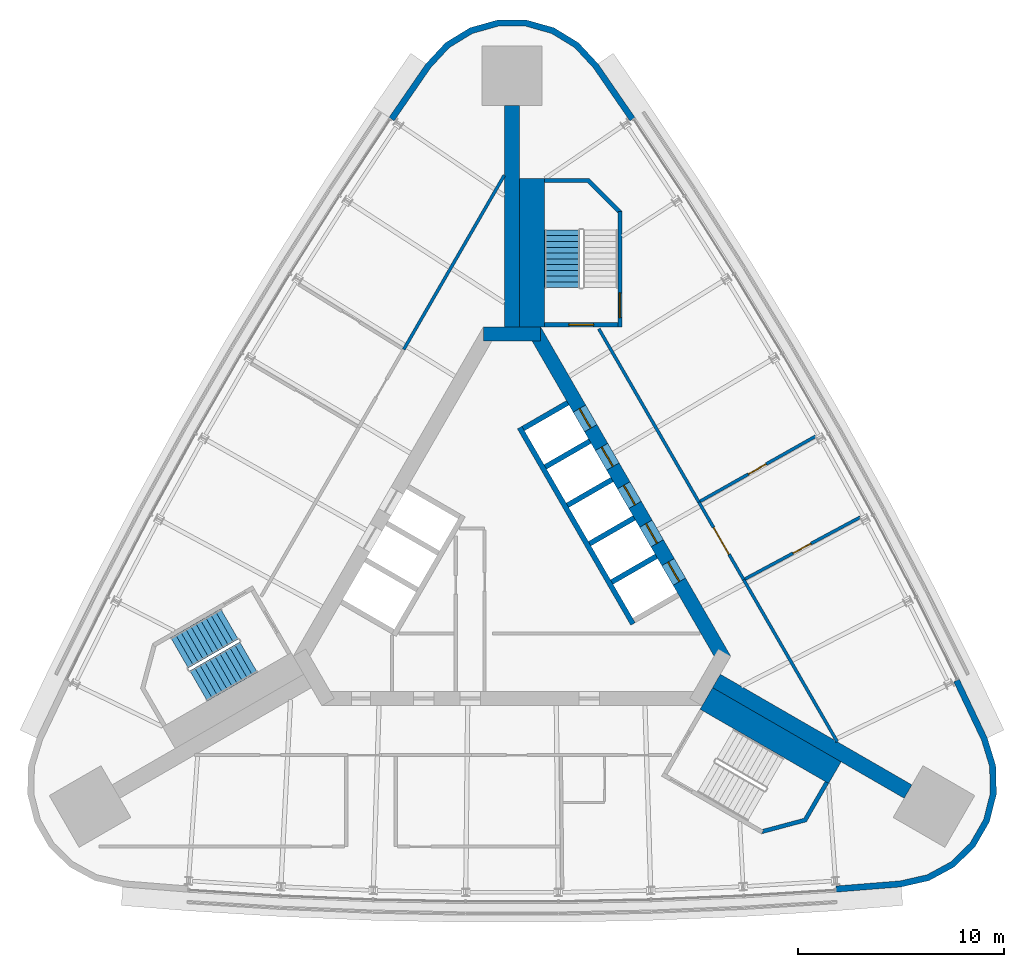
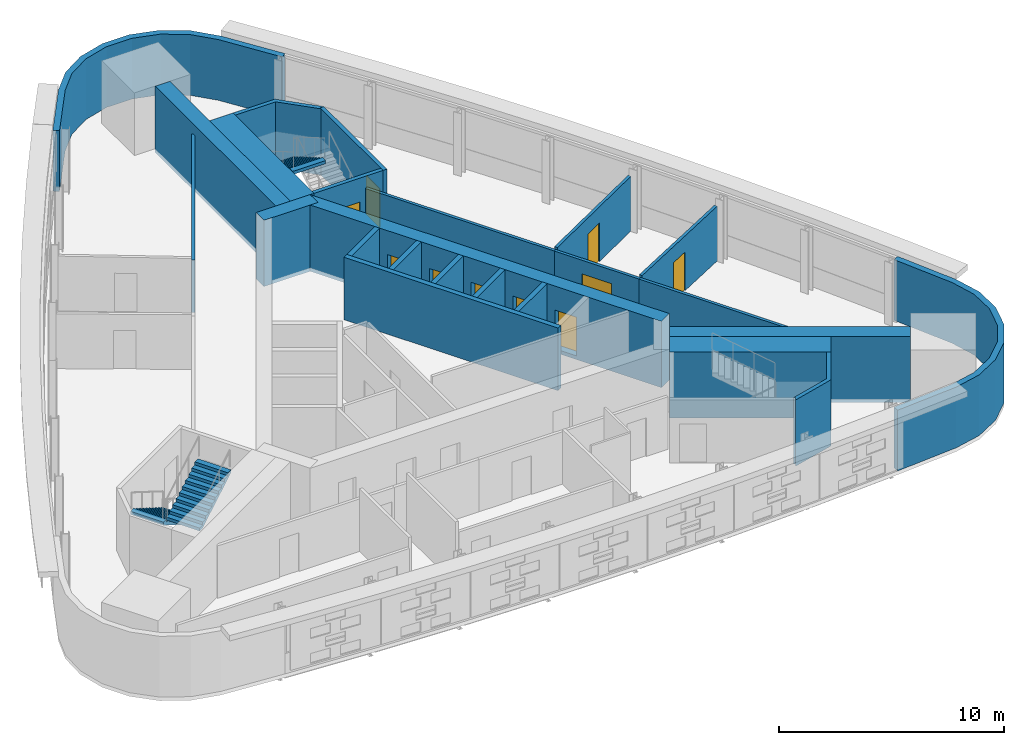
# One storey, part 9 of 12: 24 walls, 10 doors, 3 stair flights, 10 openings, 2 elements without a shape of their own.
"""IFC4 building model written with IfcOpenShell, lengths in metres."""

from ifc_helpers import new_model, si_unit, direction, frame, frame_2d, origin, place, context, subcontext, project, spatial, polyline, rectangle, outline, extrude, material, layer, layer_set, type_object, element, fill, aggregate, save


model = new_model("IFC4")

# Units and contexts
model_context = context("Model", 3, precision=1e-05, world=origin(), true_north=direction((0.0, 1.0)))
body_context = subcontext(model_context, "Body", "Model", "MODEL_VIEW")
ifc_project = project(units=[si_unit("LENGTHUNIT", "METRE"), si_unit("AREAUNIT", "SQUARE_METRE"), si_unit("VOLUMEUNIT", "CUBIC_METRE"), si_unit("PLANEANGLEUNIT", "RADIAN"), si_unit("MASSUNIT", "GRAM", prefix="KILO")], contexts=[model_context])

# Site, building, storey
site_placement = place(None, origin())
site = spatial("IfcSite", under=ifc_project, at=site_placement, CompositionType="ELEMENT")
building_placement = place(site_placement, origin())
building = spatial("IfcBuilding", under=site, at=building_placement, Name="Noor Cloister Tower", CompositionType="ELEMENT")
storey_placement = place(building_placement, frame((0.0, 0.0, 154.5)))
storey = spatial("IfcBuildingStorey", under=building, at=storey_placement, Name="L39", CompositionType="ELEMENT", Elevation=154.5)

# Walls
ifc_material_1 = material(Name="Concrete C70/85", Category="concrete")
ifc_layer_1 = layer(ifc_material_1, 0.75)
ifc_layer_set_1 = layer_set([ifc_layer_1], Name="Buttress wall 750 C70/85")
wall_type_1 = type_object("IfcWallType", Name="Buttress wall 750 C70/85", PredefinedType="SHEAR", material=ifc_layer_set_1)
wall_1_placement = place(storey_placement, frame((0.0, 11.456298828125, -0.199951171875), z_axis=(0.0, 0.0, 1.0), x_axis=(0.0, 1.0, 0.0)))
element("IfcWall", 1, at=wall_1_placement, inside=storey, type_object=wall_type_1, Name="Buttress wall N L39", PredefinedType="SHEAR", context=body_context, shape_type="SweptSolid", body=[
    extrude(rectangle(XDim=10.735595703125, YDim=0.75, at=frame_2d((5.36767578125, 0.0))), origin(), (0.0, 0.0, 1.0), 3.599853515625),
])
wall_2_placement = place(storey_placement, frame((9.921630859375, -5.728271484375, -0.199951171875), z_axis=(0.0, 0.0, 1.0), x_axis=(0.86602614826, -0.499998710529, 0.0)))
element("IfcWall", 2, at=wall_2_placement, inside=storey, type_object=wall_type_1, Name="Buttress wall SE L39", PredefinedType="SHEAR", context=body_context, shape_type="SweptSolid", body=[
    extrude(rectangle(XDim=10.7353515625, YDim=0.75, at=frame_2d((5.36767578125, 0.0))), origin(), (0.0, 0.0, 1.0), 3.599853515625),
])

# Wall, openings, doors
ifc_material_2 = material(Name="Concrete C70/85", Category="concrete")
ifc_layer_2 = layer(ifc_material_2, 0.699951171875)
ifc_layer_set_2 = layer_set([ifc_layer_2], Name="Core wall 700 C70/85")
wall_type_2 = type_object("IfcWallType", Name="Core wall 700 C70/85", PredefinedType="SHEAR", material=ifc_layer_set_2)
wall_3_placement = place(storey_placement, frame((10.311279296875, -4.703125, -0.199951171875), z_axis=(0.0, 0.0, 1.0), x_axis=(-0.500001446645, 0.866024568562, 0.0)))
wall_3 = element("IfcWall", 3, at=wall_3_placement, inside=storey, type_object=wall_type_2, Name="Core wall L39 3", PredefinedType="SHEAR", context=body_context, shape_type="SweptSolid", body=[
    extrude(rectangle(XDim=18.45751953125, YDim=0.699951171875, at=frame_2d((9.228759765625, 0.0))), origin(), (0.0, 0.0, 1.0), 3.599853515625),
])
opening_1_placement = place(wall_3_placement, frame((4.378662109375, 0.0, 0.199951171875)))
opening_1 = element("IfcOpeningElement", 4, at=opening_1_placement, cuts=wall_3, Name="Opening L39-HR1", PredefinedType="OPENING", context=body_context, shape_type="SweptSolid", body=[
    extrude(rectangle(XDim=1.10009765625, YDim=2.10009765625, at=frame_2d((0.550048828125, 1.050048828125))), frame((0.0, 0.35986328125, 0.0), z_axis=(0.0, -1.0, 0.0), x_axis=(1.0, 0.0, 0.0)), (0.0, 0.0, 1.0), 0.719970703125),
])
opening_2_placement = place(wall_3_placement, frame((6.52880859375, 0.0, 0.199951171875)))
opening_2 = element("IfcOpeningElement", 5, at=opening_2_placement, cuts=wall_3, Name="Opening L39-HR2", PredefinedType="OPENING", context=body_context, shape_type="SweptSolid", body=[
    extrude(rectangle(XDim=1.10009765625, YDim=2.10009765625, at=frame_2d((0.550048828125, 1.050048828125))), frame((0.0, 0.35986328125, 0.0), z_axis=(0.0, -1.0, 0.0), x_axis=(1.0, 0.0, 0.0)), (0.0, 0.0, 1.0), 0.719970703125),
])
opening_3_placement = place(wall_3_placement, frame((8.6787109375, 0.0, 0.199951171875)))
opening_3 = element("IfcOpeningElement", 6, at=opening_3_placement, cuts=wall_3, Name="Opening L39-HR3", PredefinedType="OPENING", context=body_context, shape_type="SweptSolid", body=[
    extrude(rectangle(XDim=1.10009765625, YDim=2.10009765625, at=frame_2d((0.550048828125, 1.050048828125))), frame((0.0, 0.35986328125, 0.0), z_axis=(0.0, -1.0, 0.0), x_axis=(1.0, 0.0, 0.0)), (0.0, 0.0, 1.0), 0.719970703125),
])
opening_4_placement = place(wall_3_placement, frame((10.82861328125, 0.0, 0.199951171875)))
opening_4 = element("IfcOpeningElement", 7, at=opening_4_placement, cuts=wall_3, Name="Opening L39-HR4", PredefinedType="OPENING", context=body_context, shape_type="SweptSolid", body=[
    extrude(rectangle(XDim=1.10009765625, YDim=2.10009765625, at=frame_2d((0.550048828125, 1.050048828125))), frame((0.0, 0.35986328125, 0.0), z_axis=(0.0, -1.0, 0.0), x_axis=(1.0, 0.0, 0.0)), (0.0, 0.0, 1.0), 0.719970703125),
])
opening_5_placement = place(wall_3_placement, frame((12.978759765625, 0.0, 0.199951171875)))
opening_5 = element("IfcOpeningElement", 8, at=opening_5_placement, cuts=wall_3, Name="Opening L39-HR5", PredefinedType="OPENING", context=body_context, shape_type="SweptSolid", body=[
    extrude(rectangle(XDim=1.10009765625, YDim=2.10009765625, at=frame_2d((0.550048828125, 1.050048828125))), frame((0.0, 0.35986328125, 0.0), z_axis=(0.0, -1.0, 0.0), x_axis=(1.0, 0.0, 0.0)), (0.0, 0.0, 1.0), 0.719970703125),
])
ifc_material_3 = material(Name="Stainless steel", Category="steel")
door_type_1 = type_object("IfcDoorType", Name="Lift landing door 1100 x 2100", OperationType="DOUBLE_DOOR_SLIDING", PredefinedType="DOOR", material=ifc_material_3)
door_1_placement = place(opening_1_placement, origin())
door_1 = element("IfcDoor", 9, at=door_1_placement, inside=storey, type_object=door_type_1, Name="Landing door HR1 L39", OperationType="DOUBLE_DOOR_SLIDING", OverallHeight=2.10009765625, OverallWidth=1.10009765625, PredefinedType="DOOR", context=body_context, shape_type="SweptSolid", body=[
    extrude(rectangle(XDim=1.10009765625, YDim=2.10009765625, at=frame_2d((0.550048828125, 1.050048828125))), frame((0.0, 0.02490234375, 0.0), z_axis=(0.0, -1.0, 0.0), x_axis=(1.0, 0.0, 0.0)), (0.0, 0.0, 1.0), 0.050048828125),
])
fill(opening_1, door_1)
door_2_placement = place(opening_2_placement, origin())
door_2 = element("IfcDoor", 10, at=door_2_placement, inside=storey, type_object=door_type_1, Name="Landing door HR2 L39", OperationType="DOUBLE_DOOR_SLIDING", OverallHeight=2.10009765625, OverallWidth=1.10009765625, PredefinedType="DOOR", context=body_context, shape_type="SweptSolid", body=[
    extrude(rectangle(XDim=1.10009765625, YDim=2.10009765625, at=frame_2d((0.550048828125, 1.050048828125))), frame((0.0, 0.02490234375, 0.0), z_axis=(0.0, -1.0, 0.0), x_axis=(1.0, 0.0, 0.0)), (0.0, 0.0, 1.0), 0.050048828125),
])
fill(opening_2, door_2)
door_3_placement = place(opening_3_placement, origin())
door_3 = element("IfcDoor", 11, at=door_3_placement, inside=storey, type_object=door_type_1, Name="Landing door HR3 L39", OperationType="DOUBLE_DOOR_SLIDING", OverallHeight=2.10009765625, OverallWidth=1.10009765625, PredefinedType="DOOR", context=body_context, shape_type="SweptSolid", body=[
    extrude(rectangle(XDim=1.10009765625, YDim=2.10009765625, at=frame_2d((0.550048828125, 1.050048828125))), frame((0.0, 0.02490234375, 0.0), z_axis=(0.0, -1.0, 0.0), x_axis=(1.0, 0.0, 0.0)), (0.0, 0.0, 1.0), 0.050048828125),
])
fill(opening_3, door_3)
door_4_placement = place(opening_4_placement, origin())
door_4 = element("IfcDoor", 12, at=door_4_placement, inside=storey, type_object=door_type_1, Name="Landing door HR4 L39", OperationType="DOUBLE_DOOR_SLIDING", OverallHeight=2.10009765625, OverallWidth=1.10009765625, PredefinedType="DOOR", context=body_context, shape_type="SweptSolid", body=[
    extrude(rectangle(XDim=1.10009765625, YDim=2.10009765625, at=frame_2d((0.550048828125, 1.050048828125))), frame((0.0, 0.02490234375, 0.0), z_axis=(0.0, -1.0, 0.0), x_axis=(1.0, 0.0, 0.0)), (0.0, 0.0, 1.0), 0.050048828125),
])
fill(opening_4, door_4)
door_5_placement = place(opening_5_placement, origin())
door_5 = element("IfcDoor", 13, at=door_5_placement, inside=storey, type_object=door_type_1, Name="Landing door HR5 L39", OperationType="DOUBLE_DOOR_SLIDING", OverallHeight=2.10009765625, OverallWidth=1.10009765625, PredefinedType="DOOR", context=body_context, shape_type="SweptSolid", body=[
    extrude(rectangle(XDim=1.10009765625, YDim=2.10009765625, at=frame_2d((0.550048828125, 1.050048828125))), frame((0.0, 0.02490234375, 0.0), z_axis=(0.0, -1.0, 0.0), x_axis=(1.0, 0.0, 0.0)), (0.0, 0.0, 1.0), 0.050048828125),
])
fill(opening_5, door_5)

# Walls
wall_4_placement = place(storey_placement, frame((1.3857421875, 11.1064453125, -0.199951171875), z_axis=(0.0, 0.0, 1.0), x_axis=(-1.0, 0.0, 0.0)))
element("IfcWall", 14, at=wall_4_placement, inside=storey, type_object=wall_type_2, Name="Core wall L39 4", PredefinedType="SHEAR", context=body_context, shape_type="SweptSolid", body=[
    extrude(rectangle(XDim=2.771484375, YDim=0.699951171875, at=frame_2d((1.3857421875, 0.0))), origin(), (0.0, 0.0, 1.0), 3.599853515625),
])
ifc_material_4 = material(Name="Fire-rated gypsum board partition on steel studs, 150 mm", Category="steel")
ifc_layer_3 = layer(ifc_material_4, 0.14990234375)
ifc_layer_set_3 = layer_set([ifc_layer_3], Name="Fire lobby wall 150")
wall_type_3 = type_object("IfcWallType", Name="Fire lobby wall 150", PredefinedType="PARTITIONING", material=ifc_layer_set_3)
wall_5_placement = place(storey_placement, frame((-0.375, 18.806884765625, 0.0), z_axis=(0.0, 0.0, 1.0), x_axis=(-0.500002508028, -0.866023955769, 0.0)))
element("IfcWall", 15, at=wall_5_placement, inside=storey, type_object=wall_type_3, Name="Wall L39-W16", PredefinedType="PARTITIONING", context=body_context, shape_type="SweptSolid", body=[
    extrude(rectangle(XDim=9.759765625, YDim=0.14990234375, at=frame_2d((4.8798828125, 0.0))), origin(), (0.0, 0.0, 1.0), 2.846923828125),
])
ifc_material_5 = material(Name="Gypsum board partition on steel studs, 150 mm", Category="steel")
ifc_layer_4 = layer(ifc_material_5, 0.14990234375)
ifc_layer_set_4 = layer_set([ifc_layer_4], Name="Flat wall 150")
wall_type_4 = type_object("IfcWallType", Name="Flat wall 150", PredefinedType="PARTITIONING", material=ifc_layer_set_4)
wall_6_placement = place(storey_placement, frame((15.781982421875, -8.6787109375, 0.0), z_axis=(0.0, 0.0, 1.0), x_axis=(-0.500005644317, 0.866022145012, 0.0)))
element("IfcWall", 16, at=wall_6_placement, inside=storey, type_object=wall_type_4, Name="Wall L39-W01", PredefinedType="PARTITIONING", context=body_context, shape_type="SweptSolid", body=[
    extrude(rectangle(XDim=9.07958984375, YDim=0.14990234375, at=frame_2d((4.539794921875, 0.0))), origin(), (0.0, 0.0, 1.0), 2.846923828125),
])
wall_7_placement = place(storey_placement, frame((9.066162109375, 2.953369140625, 0.0), z_axis=(0.0, 0.0, 1.0), x_axis=(-0.500003417229, 0.866023430837, 0.0)))
element("IfcWall", 17, at=wall_7_placement, inside=storey, type_object=wall_type_4, Name="Wall L39-W02", PredefinedType="PARTITIONING", context=body_context, shape_type="SweptSolid", body=[
    extrude(rectangle(XDim=9.703125, YDim=0.14990234375, at=frame_2d((4.8515625, 0.0))), origin(), (0.0, 0.0, 1.0), 2.846923828125),
])

# Wall, opening, door
wall_8_placement = place(storey_placement, frame((16.900634765625, 2.220703125, 0.0), z_axis=(0.0, 0.0, 1.0), x_axis=(-0.881144631688, -0.472846844177, 0.0)))
wall_8 = element("IfcWall", 18, at=wall_8_placement, inside=storey, type_object=wall_type_4, Name="Wall L39-W03", PredefinedType="PARTITIONING", context=body_context, shape_type="SweptSolid", body=[
    extrude(rectangle(XDim=6.3466796875, YDim=0.14990234375, at=frame_2d((3.17333984375, 0.0))), origin(), (0.0, 0.0, 1.0), 2.97412109375),
])
opening_6_placement = place(wall_8_placement, frame((2.710693359375, 0.0, 0.0)))
opening_6 = element("IfcOpeningElement", 19, at=opening_6_placement, cuts=wall_8, Name="Opening L39-002", PredefinedType="OPENING", context=body_context, shape_type="SweptSolid", body=[
    extrude(rectangle(XDim=1.0, YDim=2.10009765625, at=frame_2d((0.5, 1.050048828125))), frame((0.0, 0.0849609375, 0.0), z_axis=(0.0, -1.0, 0.0), x_axis=(1.0, 0.0, 0.0)), (0.0, 0.0, 1.0), 0.169921875),
])
ifc_material_6 = material(Name="Timber door leaf with steel frame", Category="steel")
door_type_2 = type_object("IfcDoorType", Name="Interior door 1000 FD60", OperationType="NOTDEFINED", PredefinedType="DOOR", material=ifc_material_6)
door_6_placement = place(opening_6_placement, origin())
door_6 = element("IfcDoor", 20, at=door_6_placement, inside=storey, type_object=door_type_2, Name="Door L39-002", OperationType="SINGLE_SWING_RIGHT", OverallHeight=2.10009765625, OverallWidth=1.0, PredefinedType="DOOR", context=body_context, shape_type="SweptSolid", body=[
    extrude(rectangle(XDim=1.0, YDim=2.10009765625, at=frame_2d((0.5, 1.050048828125))), frame((0.0, 0.02490234375, 0.0), z_axis=(0.0, -1.0, 0.0), x_axis=(1.0, 0.0, 0.0)), (0.0, 0.0, 1.0), 0.050048828125),
])
fill(opening_6, door_6)

wall_9_placement = place(storey_placement, frame((14.7353515625, 6.148681640625, 0.0), z_axis=(0.0, 0.0, 1.0), x_axis=(-0.871163720424, -0.490992639676, 0.0)))
wall_9 = element("IfcWall", 21, at=wall_9_placement, inside=storey, type_object=wall_type_4, Name="Wall L39-W04", PredefinedType="PARTITIONING", context=body_context, shape_type="SweptSolid", body=[
    extrude(rectangle(XDim=6.432861328125, YDim=0.14990234375, at=frame_2d((3.21630859375, 0.0))), origin(), (0.0, 0.0, 1.0), 2.97412109375),
])
opening_7_placement = place(wall_9_placement, frame((2.75390625, 0.0, 0.0)))
opening_7 = element("IfcOpeningElement", 22, at=opening_7_placement, cuts=wall_9, Name="Opening L39-003", PredefinedType="OPENING", context=body_context, shape_type="SweptSolid", body=[
    extrude(rectangle(XDim=1.0, YDim=2.10009765625, at=frame_2d((0.5, 1.050048828125))), frame((0.0, 0.0849609375, 0.0), z_axis=(0.0, -1.0, 0.0), x_axis=(1.0, 0.0, 0.0)), (0.0, 0.0, 1.0), 0.169921875),
])
door_7_placement = place(opening_7_placement, origin())
door_7 = element("IfcDoor", 23, at=door_7_placement, inside=storey, type_object=door_type_2, Name="Door L39-003", OperationType="SINGLE_SWING_LEFT", OverallHeight=2.10009765625, OverallWidth=1.0, PredefinedType="DOOR", context=body_context, shape_type="SweptSolid", body=[
    extrude(rectangle(XDim=1.0, YDim=2.10009765625, at=frame_2d((0.5, 1.050048828125))), frame((0.0, 0.02490234375, 0.0), z_axis=(0.0, -1.0, 0.0), x_axis=(1.0, 0.0, 0.0)), (0.0, 0.0, 1.0), 0.050048828125),
])
fill(opening_7, door_7)

wall_10_placement = place(storey_placement, frame((11.2421875, -0.815673828125, 0.0), z_axis=(0.0, 0.0, 1.0), x_axis=(-0.499994385119, 0.866028645513, 0.0)))
wall_10 = element("IfcWall", 24, at=wall_10_placement, inside=storey, type_object=wall_type_4, Name="Wall L39-W05", PredefinedType="PARTITIONING", context=body_context, shape_type="SweptSolid", body=[
    extrude(rectangle(XDim=4.35205078125, YDim=0.14990234375, at=frame_2d((2.176025390625, 0.0))), origin(), (0.0, 0.0, 1.0), 2.846923828125),
])
opening_8_placement = place(wall_10_placement, frame((1.42626953125, 0.0, 0.0)))
opening_8 = element("IfcOpeningElement", 25, at=opening_8_placement, cuts=wall_10, Name="Opening L39-001", PredefinedType="OPENING", context=body_context, shape_type="SweptSolid", body=[
    extrude(rectangle(XDim=1.5, YDim=2.10009765625, at=frame_2d((0.75, 1.050048828125))), frame((0.0, 0.0849609375, 0.0), z_axis=(0.0, -1.0, 0.0), x_axis=(1.0, 0.0, 0.0)), (0.0, 0.0, 1.0), 0.169921875),
])
ifc_material_7 = material(Name="Timber door leaf with steel frame", Category="steel")
door_type_3 = type_object("IfcDoorType", Name="Double door 1500 FD60", OperationType="NOTDEFINED", PredefinedType="DOOR", material=ifc_material_7)
door_8_placement = place(opening_8_placement, origin())
door_8 = element("IfcDoor", 26, at=door_8_placement, inside=storey, type_object=door_type_3, Name="Door L39-001", OperationType="DOUBLE_DOOR_SINGLE_SWING", OverallHeight=2.10009765625, OverallWidth=1.5, PredefinedType="DOOR", context=body_context, shape_type="SweptSolid", body=[
    extrude(rectangle(XDim=1.5, YDim=2.10009765625, at=frame_2d((0.75, 1.050048828125))), frame((0.0, 0.02490234375, 0.0), z_axis=(0.0, -1.0, 0.0), x_axis=(1.0, 0.0, 0.0)), (0.0, 0.0, 1.0), 0.050048828125),
])
fill(opening_8, door_8)

# Walls
ifc_material_8 = material(Name="Limestone", Category="masonry")
ifc_layer_5 = layer(ifc_material_8, 0.300048828125)
ifc_layer_set_5 = layer_set([ifc_layer_5], Name="Limestone cladding 300")
wall_type_5 = type_object("IfcWallType", Name="Limestone cladding 300", PredefinedType="NOTDEFINED", material=ifc_layer_set_5)
wall_11_placement = place(storey_placement, origin())
element("IfcWall", 27, at=wall_11_placement, inside=storey, type_object=wall_type_5, Name="Limestone pier cladding L39 2.1", PredefinedType="NOTDEFINED", context=body_context, shape_type="SweptSolid", body=[
    extrude(outline(polyline([(15.736083984375, -15.97607421875), (18.88671875, -15.72412109375), (20.2451171875, -15.414306640625), (21.46875, -14.748046875), (22.466064453125, -13.775146484375), (23.162841796875, -12.568603515625), (23.506591796875, -11.218505859375), (23.4716796875, -9.82568359375), (23.060791015625, -8.494384765625), (21.703857421875, -5.639892578125), (21.432861328125, -5.768798828125), (22.780517578125, -8.603515625), (23.1728515625, -9.87451171875), (23.20556640625, -11.1845703125), (22.88232421875, -12.45458984375), (22.22705078125, -13.58935546875), (21.288818359375, -14.50439453125), (20.137939453125, -15.130859375), (18.84130859375, -15.4267578125), (15.712158203125, -15.677001953125), (15.736083984375, -15.97607421875)])), origin(), (0.0, 0.0, 1.0), 3.300048828125),
])
wall_12_placement = place(storey_placement, origin())
element("IfcWall", 28, at=wall_12_placement, inside=storey, type_object=wall_type_5, Name="Limestone pier cladding L39 3.1", PredefinedType="NOTDEFINED", context=body_context, shape_type="SweptSolid", body=[
    extrude(outline(polyline([(5.967529296875, 21.615966796875), (4.174072265625, 24.218505859375), (3.2265625, 25.239990234375), (2.037841796875, 25.966552734375), (0.696533203125, 26.34375), (-0.696533203125, 26.34375), (-2.037841796875, 25.966552734375), (-3.2265625, 25.239990234375), (-4.174072265625, 24.218505859375), (-5.967529296875, 21.615966796875), (-5.720703125, 21.44580078125), (-3.939453125, 24.0302734375), (-3.03466796875, 25.00537109375), (-1.916748046875, 25.68896484375), (-0.6552734375, 26.0439453125), (0.6552734375, 26.0439453125), (1.916748046875, 25.68896484375), (3.03466796875, 25.00537109375), (3.939453125, 24.0302734375), (5.720703125, 21.44580078125), (5.967529296875, 21.615966796875)])), origin(), (0.0, 0.0, 1.0), 3.300048828125),
])
ifc_material_9 = material(Name="Concrete C70/85", Category="concrete")
ifc_layer_6 = layer(ifc_material_9, 0.25)
ifc_layer_set_6 = layer_set([ifc_layer_6], Name="Shaft wall 250 C70/85")
wall_type_6 = type_object("IfcWallType", Name="Shaft wall 250 C70/85", PredefinedType="PARTITIONING", material=ifc_layer_set_6)
wall_13_placement = place(storey_placement, frame((7.00634765625, 0.3212890625, -0.199951171875), z_axis=(0.0, 0.0, 1.0), x_axis=(-0.866022959057, -0.500004234368, 0.0)))
element("IfcWall", 29, at=wall_13_placement, inside=storey, type_object=wall_type_6, Name="Lift shaft wall L39 NE 2", PredefinedType="PARTITIONING", context=body_context, shape_type="SweptSolid", body=[
    extrude(rectangle(XDim=2.5, YDim=0.25, at=frame_2d((1.25, 0.0))), origin(), (0.0, 0.0, 1.0), 3.599853515625),
])
wall_14_placement = place(storey_placement, frame((5.931396484375, 2.18310546875, -0.199951171875), z_axis=(0.0, 0.0, 1.0), x_axis=(-0.866047370643, -0.499961950354, 0.0)))
element("IfcWall", 30, at=wall_14_placement, inside=storey, type_object=wall_type_6, Name="Lift shaft wall L39 NE 3", PredefinedType="PARTITIONING", context=body_context, shape_type="SweptSolid", body=[
    extrude(rectangle(XDim=2.500244140625, YDim=0.25, at=frame_2d((1.25, 0.0))), origin(), (0.0, 0.0, 1.0), 3.599853515625),
])
for number, where, z_axis, x_axis, name in (
    (31, (4.856201171875, 4.045166015625, -0.199951171875), (0.0, 0.0, 1.0), (-0.866022959057, -0.500004234368, 0.0), "Lift shaft wall L39 NE 4"),
    (32, (3.78125, 5.906982421875, -0.199951171875), (0.0, 0.0, 1.0), (-0.866022959057, -0.500004234368, 0.0), "Lift shaft wall L39 NE 5"),
    (33, (2.706298828125, 7.76904296875, -0.199951171875), (0.0, 0.0, 1.0), (-0.866022959057, -0.500004234368, 0.0), "Lift shaft wall L39 NE 6"),
):
    element("IfcWall", number, at=place(storey_placement, frame(where, z_axis=z_axis, x_axis=x_axis)), inside=storey, type_object=wall_type_6, Name=name, PredefinedType="PARTITIONING", context=body_context, shape_type="SweptSolid", body=[
        extrude(rectangle(XDim=2.5, YDim=0.25, at=frame_2d((1.25, 0.0))), origin(), (0.0, 0.0, 1.0), 3.599853515625),
    ])
wall_15_placement = place(storey_placement, frame((5.870361328125, -2.96142578125, 0.0), z_axis=(0.0, 0.0, 1.0), x_axis=(-0.50000615651, 0.866021849293, 0.0)))
element("IfcWall", 34, at=wall_15_placement, inside=storey, type_object=wall_type_6, Name="Lift shaft back wall L39 NE", PredefinedType="PARTITIONING", context=body_context, shape_type="SweptSolid", body=[
    extrude(rectangle(XDim=10.999755859375, YDim=0.25, at=frame_2d((5.5, 0.0))), origin(), (0.0, 0.0, 1.0), 3.39990234375),
])
ifc_material_10 = material(Name="Concrete C70/85", Category="concrete")
ifc_layer_7 = layer(ifc_material_10, 1.2109375)
ifc_layer_set_7 = layer_set([ifc_layer_7], Name="Stair enclosure wall 1211 C70/85")
wall_type_7 = type_object("IfcWallType", Name="Stair enclosure wall 1211 C70/85", PredefinedType="SHEAR", material=ifc_layer_set_7)
wall_16_placement = place(storey_placement, frame((0.980224609375, 11.456298828125, -0.199951171875), z_axis=(0.0, 0.0, 1.0), x_axis=(0.0, 1.0, 0.0)))
element("IfcWall", 35, at=wall_16_placement, inside=storey, type_object=wall_type_7, Name="Stair enclosure wall ST1 L39 riser side", PredefinedType="SHEAR", context=body_context, shape_type="SweptSolid", body=[
    extrude(rectangle(XDim=7.2001953125, YDim=1.210693359375, at=frame_2d((3.60009765625, 0.0))), origin(), (0.0, 0.0, 1.0), 3.599853515625),
])
wall_17_placement = place(storey_placement, frame((9.431396484375, -6.5771484375, -0.199951171875), z_axis=(0.0, 0.0, 1.0), x_axis=(0.866018442252, -0.500012057535, 0.0)))
element("IfcWall", 36, at=wall_17_placement, inside=storey, type_object=wall_type_7, Name="Stair enclosure wall ST3 L39 riser side", PredefinedType="SHEAR", context=body_context, shape_type="SweptSolid", body=[
    extrude(rectangle(XDim=7.199951171875, YDim=1.210693359375, at=frame_2d((3.60009765625, 0.0))), origin(), (0.0, 0.0, 1.0), 3.599853515625),
])

# Wall, opening, door
ifc_material_11 = material(Name="Concrete C70/85", Category="concrete")
ifc_layer_8 = layer(ifc_material_11, 0.199951171875)
ifc_layer_set_8 = layer_set([ifc_layer_8], Name="Stair enclosure wall 200 C70/85")
wall_type_8 = type_object("IfcWallType", Name="Stair enclosure wall 200 C70/85", PredefinedType="SHEAR", material=ifc_layer_set_8)
wall_18_placement = place(storey_placement, frame((5.135498046875, 11.556396484375, -0.199951171875), z_axis=(0.0, 0.0, 1.0), x_axis=(-1.0, 0.0, 0.0)))
wall_18 = element("IfcWall", 37, at=wall_18_placement, inside=storey, type_object=wall_type_8, Name="Stair enclosure wall ST1 L39 near end", PredefinedType="SHEAR", context=body_context, shape_type="SweptSolid", body=[
    extrude(rectangle(XDim=3.5498046875, YDim=0.199951171875, at=frame_2d((1.77490234375, 0.0))), origin(), (0.0, 0.0, 1.0), 3.599853515625),
])
opening_9_placement = place(wall_18_placement, frame((1.175048828125, 0.0, 0.199951171875)))
opening_9 = element("IfcOpeningElement", 38, at=opening_9_placement, cuts=wall_18, Name="Opening L39-ST1L", PredefinedType="OPENING", context=body_context, shape_type="SweptSolid", body=[
    extrude(rectangle(XDim=1.199951171875, YDim=2.10009765625, at=frame_2d((0.60009765625, 1.050048828125))), frame((0.0, 0.10986328125, 0.0), z_axis=(0.0, -1.0, 0.0), x_axis=(1.0, 0.0, 0.0)), (0.0, 0.0, 1.0), 0.219970703125),
])
ifc_material_12 = material(Name="Steel", Category="steel")
door_type_4 = type_object("IfcDoorType", Name="Stair door 1200 x 2100 FD120", OperationType="SINGLE_SWING_LEFT", PredefinedType="DOOR", material=ifc_material_12)
door_9_placement = place(opening_9_placement, origin())
door_9 = element("IfcDoor", 39, at=door_9_placement, inside=storey, type_object=door_type_4, Name="Stair door ST1 L39", OperationType="SINGLE_SWING_RIGHT", OverallHeight=2.10009765625, OverallWidth=1.199951171875, PredefinedType="DOOR", context=body_context, shape_type="SweptSolid", body=[
    extrude(rectangle(XDim=1.199951171875, YDim=2.10009765625, at=frame_2d((0.60009765625, 1.050048828125))), frame((0.0, 0.02490234375, 0.0), z_axis=(0.0, -1.0, 0.0), x_axis=(1.0, 0.0, 0.0)), (0.0, 0.0, 1.0), 0.050048828125),
])
fill(opening_9, door_9)

wall_19_placement = place(storey_placement, frame((5.235595703125, 11.456298828125, -0.199951171875), z_axis=(0.0, 0.0, 1.0), x_axis=(0.0, 1.0, 0.0)))
wall_19 = element("IfcWall", 40, at=wall_19_placement, inside=storey, type_object=wall_type_8, Name="Stair enclosure wall ST1 L39 outer side", PredefinedType="SHEAR", context=body_context, shape_type="SweptSolid", body=[
    extrude(rectangle(XDim=5.60009765625, YDim=0.199951171875, at=frame_2d((2.800048828125, 0.0))), origin(), (0.0, 0.0, 1.0), 3.599853515625),
])
opening_10_placement = place(wall_19_placement, frame((0.449951171875, 0.0, 0.199951171875)))
opening_10 = element("IfcOpeningElement", 41, at=opening_10_placement, cuts=wall_19, Name="Opening L39-ST1C", PredefinedType="OPENING", context=body_context, shape_type="SweptSolid", body=[
    extrude(rectangle(XDim=1.199951171875, YDim=2.10009765625, at=frame_2d((0.60009765625, 1.050048828125))), frame((0.0, 0.10986328125, 0.0), z_axis=(0.0, -1.0, 0.0), x_axis=(1.0, 0.0, 0.0)), (0.0, 0.0, 1.0), 0.219970703125),
])
door_10_placement = place(opening_10_placement, origin())
door_10 = element("IfcDoor", 42, at=door_10_placement, inside=storey, type_object=door_type_4, Name="Stair door ST1 L39", OperationType="SINGLE_SWING_LEFT", OverallHeight=2.10009765625, OverallWidth=1.199951171875, PredefinedType="DOOR", context=body_context, shape_type="SweptSolid", body=[
    extrude(rectangle(XDim=1.199951171875, YDim=2.10009765625, at=frame_2d((0.60009765625, 1.050048828125))), frame((0.0, 0.02490234375, 0.0), z_axis=(0.0, -1.0, 0.0), x_axis=(1.0, 0.0, 0.0)), (0.0, 0.0, 1.0), 0.050048828125),
])
fill(opening_10, door_10)

# Walls
ifc_material_13 = material(Name="Concrete C70/85", Category="concrete")
wall_type_9 = type_object("IfcWallType", Name="Stair far end wall C70/85", PredefinedType="SHEAR", material=ifc_material_13)
wall_20_placement = place(storey_placement, frame((0.0, 0.0, -0.199951171875)))
element("IfcWall", 43, at=wall_20_placement, inside=storey, type_object=wall_type_9, Name="Stair enclosure wall ST1 L39 far end", PredefinedType="SHEAR", context=body_context, shape_type="SweptSolid", body=[
    extrude(outline(polyline([(5.335693359375, 17.056396484375), (3.735595703125, 18.656494140625), (1.585693359375, 18.656494140625), (1.585693359375, 18.456298828125), (3.65283203125, 18.456298828125), (5.135498046875, 16.9736328125), (5.135498046875, 17.056396484375), (5.135498046875, 17.056396484375), (5.135498046875, 17.056396484375), (5.135498046875, 17.056396484375), (5.135498046875, 17.056396484375), (5.135498046875, 17.056396484375), (5.135498046875, 17.056396484375), (5.135498046875, 17.056396484375), (5.135498046875, 17.056396484375), (5.135498046875, 17.056396484375), (5.135498046875, 17.056396484375), (5.135498046875, 17.056396484375), (5.135498046875, 17.056396484375), (5.135498046875, 17.056396484375), (5.135498046875, 17.056396484375), (5.135498046875, 17.056396484375), (5.135498046875, 17.056396484375), (5.335693359375, 17.056396484375)])), origin(), (0.0, 0.0, 1.0), 3.599853515625),
])
wall_21_placement = place(storey_placement, frame((0.0, 0.0, -0.199951171875)))
element("IfcWall", 44, at=wall_21_placement, inside=storey, type_object=wall_type_9, Name="Stair enclosure wall ST3 L39 far end", PredefinedType="SHEAR", context=body_context, shape_type="SweptSolid", body=[
    extrude(outline(polyline([(12.103515625, -13.14892578125), (14.2890625, -12.5634765625), (15.364013671875, -10.701416015625), (15.19091796875, -10.601318359375), (14.1572265625, -12.3916015625), (12.131591796875, -12.934326171875), (12.20361328125, -12.975830078125), (12.20361328125, -12.975830078125), (12.20361328125, -12.975830078125), (12.20361328125, -12.975830078125), (12.20361328125, -12.975830078125), (12.20361328125, -12.975830078125), (12.20361328125, -12.975830078125), (12.20361328125, -12.975830078125), (12.20361328125, -12.975830078125), (12.20361328125, -12.975830078125), (12.20361328125, -12.975830078125), (12.20361328125, -12.975830078125), (12.20361328125, -12.975830078125), (12.20361328125, -12.975830078125), (12.20361328125, -12.975830078125), (12.20361328125, -12.975830078125), (12.20361328125, -12.975830078125), (12.103515625, -13.14892578125)])), origin(), (0.0, 0.0, 1.0), 3.599853515625),
])

# Stair, stair flight
ifc_material_14 = material(Name="Concrete C40/50", Category="concrete")
stair_type = type_object("IfcStairType", Name="Exit stair 22 risers", PredefinedType="HALF_TURN_STAIR", material=ifc_material_14)
stair_1_placement = place(storey_placement, origin())
stair_1 = element("IfcStair", 45, at=stair_1_placement, inside=storey, type_object=stair_type, Name="Exit stair ST1 L39", PredefinedType="HALF_TURN_STAIR")
ifc_material_15 = material(Name="Concrete C40/50", Category="concrete")
stair_flight_type = type_object("IfcStairFlightType", Name="Exit stair flight", PredefinedType="STRAIGHT", material=ifc_material_15)
stair_flight_1_placement = place(storey_placement, frame((2.435546875, 16.156494140625, 1.800048828125), z_axis=(0.0, 0.0, 1.0), x_axis=(0.0, -1.0, 0.0)))
stair_flight_1 = element("IfcStairFlight", 46, at=stair_flight_1_placement, type_object=stair_flight_type, Name="ST1 flight 2", NumberOfRisers=11, NumberOfTreads=10, PredefinedType="STRAIGHT", RiserHeight=0.163636364, TreadLength=0.28, context=body_context, shape_type="SweptSolid", body=[
    extrude(outline(polyline([(0.0, 0.0), (0.0, 0.16357421875), (0.280029296875, 0.16357421875), (0.280029296875, 0.327392578125), (0.56005859375, 0.327392578125), (0.56005859375, 0.490966796875), (0.840087890625, 0.490966796875), (0.840087890625, 0.654541015625), (1.1201171875, 0.654541015625), (1.1201171875, 0.818115234375), (1.39990234375, 0.818115234375), (1.39990234375, 0.98193359375), (1.679931640625, 0.98193359375), (1.679931640625, 1.1455078125), (1.9599609375, 1.1455078125), (1.9599609375, 1.30908203125), (2.239990234375, 1.30908203125), (2.239990234375, 1.47265625), (2.52001953125, 1.47265625), (2.52001953125, 1.636474609375), (2.800048828125, 1.636474609375), (2.800048828125, 1.800048828125), (2.800048828125, 1.462646484375), (0.297119140625, 0.0), (0.0, 0.0)])), frame((0.0, 0.85009765625, 0.0), z_axis=(0.0, -1.0, 0.0), x_axis=(1.0, 0.0, 0.0)), (0.0, 0.0, 1.0), 1.699951171875),
])
aggregate(stair_1, [stair_flight_1])

# Stair, stair flights
stair_2_placement = place(storey_placement, origin())
stair_2 = element("IfcStair", 47, at=stair_2_placement, inside=storey, type_object=stair_type, Name="Exit stair ST2 L39", PredefinedType="HALF_TURN_STAIR")
stair_flight_2_placement = place(storey_placement, frame((-13.709716796875, -2.966796875, 0.0), z_axis=(0.0, 0.0, 1.0), x_axis=(-0.866025403784, -0.5, 0.0)))
stair_flight_2 = element("IfcStairFlight", 48, at=stair_flight_2_placement, type_object=stair_flight_type, Name="ST2 flight 1", NumberOfRisers=11, NumberOfTreads=10, PredefinedType="STRAIGHT", RiserHeight=0.163636364, TreadLength=0.28, context=body_context, shape_type="SweptSolid", body=[
    extrude(outline(polyline([(0.0, 0.0), (0.0, 0.16357421875), (0.280029296875, 0.16357421875), (0.280029296875, 0.327392578125), (0.56005859375, 0.327392578125), (0.56005859375, 0.490966796875), (0.840087890625, 0.490966796875), (0.840087890625, 0.654541015625), (1.1201171875, 0.654541015625), (1.1201171875, 0.818115234375), (1.39990234375, 0.818115234375), (1.39990234375, 0.98193359375), (1.679931640625, 0.98193359375), (1.679931640625, 1.1455078125), (1.9599609375, 1.1455078125), (1.9599609375, 1.30908203125), (2.239990234375, 1.30908203125), (2.239990234375, 1.47265625), (2.52001953125, 1.47265625), (2.52001953125, 1.636474609375), (2.800048828125, 1.636474609375), (2.800048828125, 1.800048828125), (2.800048828125, 1.462646484375), (0.297119140625, 0.0), (0.0, 0.0)])), frame((0.0, 0.85009765625, 0.0), z_axis=(0.0, -1.0, 0.0), x_axis=(1.0, 0.0, 0.0)), (0.0, 0.0, 1.0), 1.699951171875),
])
stair_flight_3_placement = place(storey_placement, frame((-15.209716796875, -5.968994140625, 1.800048828125), z_axis=(0.0, 0.0, 1.0), x_axis=(0.866025403784, 0.5, 0.0)))
stair_flight_3 = element("IfcStairFlight", 49, at=stair_flight_3_placement, type_object=stair_flight_type, Name="ST2 flight 2", NumberOfRisers=11, NumberOfTreads=10, PredefinedType="STRAIGHT", RiserHeight=0.163636364, TreadLength=0.28, context=body_context, shape_type="SweptSolid", body=[
    extrude(outline(polyline([(0.0, 0.0), (0.0, 0.16357421875), (0.280029296875, 0.16357421875), (0.280029296875, 0.327392578125), (0.56005859375, 0.327392578125), (0.56005859375, 0.490966796875), (0.840087890625, 0.490966796875), (0.840087890625, 0.654541015625), (1.1201171875, 0.654541015625), (1.1201171875, 0.818115234375), (1.39990234375, 0.818115234375), (1.39990234375, 0.98193359375), (1.679931640625, 0.98193359375), (1.679931640625, 1.1455078125), (1.9599609375, 1.1455078125), (1.9599609375, 1.30908203125), (2.239990234375, 1.30908203125), (2.239990234375, 1.47265625), (2.52001953125, 1.47265625), (2.52001953125, 1.636474609375), (2.800048828125, 1.636474609375), (2.800048828125, 1.800048828125), (2.800048828125, 1.462646484375), (0.297119140625, 0.0), (0.0, 0.0)])), frame((0.0, 0.85009765625, 0.0), z_axis=(0.0, -1.0, 0.0), x_axis=(1.0, 0.0, 0.0)), (0.0, 0.0, 1.0), 1.699951171875),
])
aggregate(stair_2, [stair_flight_2, stair_flight_3])

save(model, "model.ifc")
